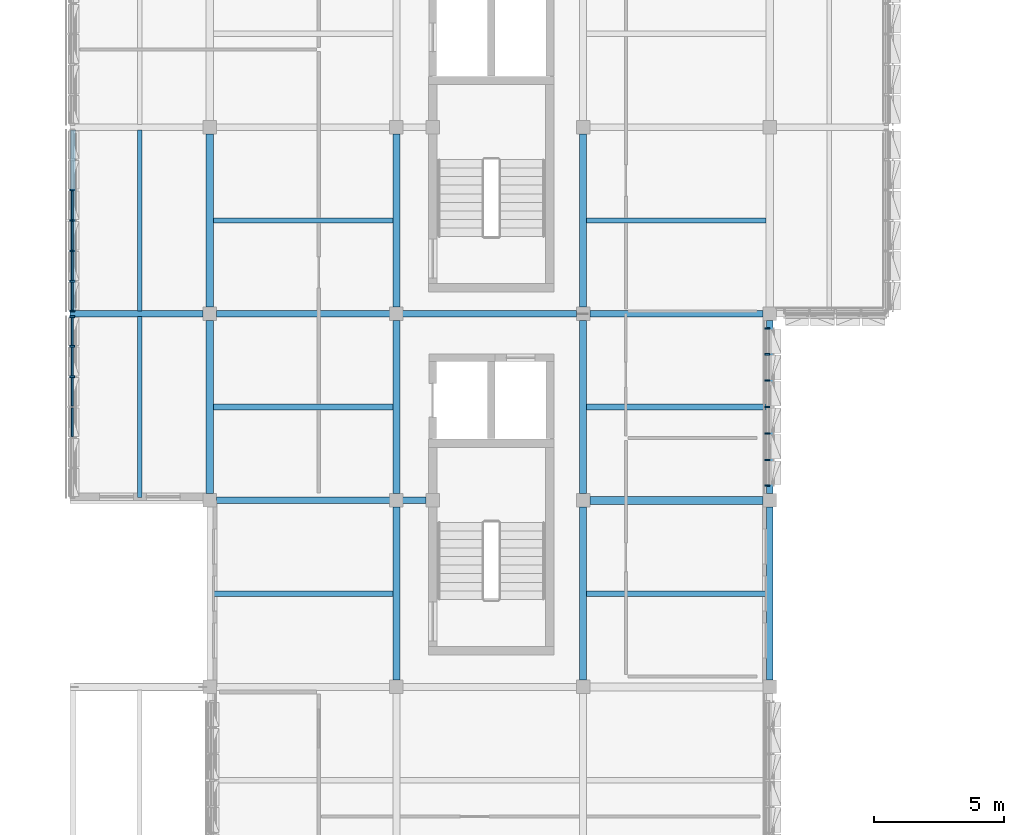
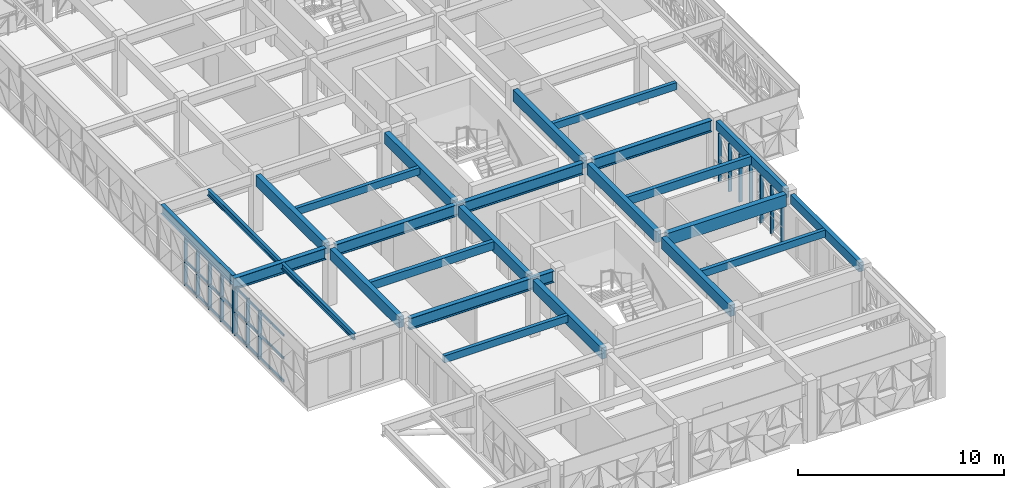
# One storey, part 3 of 48: 39 members, 24 beams, 3 elements without a shape of their own.
"""IFC4 building model written with IfcOpenShell, lengths in metres."""

from ifc_helpers import new_model, si_unit, direction, frame, origin, origin_2d, place, context, subcontext, project, spatial, rectangle, i_section, extrude, material, material_profile, profile_set, type_object, element, aggregate, save


model = new_model("IFC4")

# Units and contexts
model_context = context("Model", 3, precision=1e-05, world=origin(), true_north=direction((0.0, 1.0)))
body_context = subcontext(model_context, "Body", "Model", "MODEL_VIEW")
ifc_project = project(units=[si_unit("LENGTHUNIT", "METRE"), si_unit("AREAUNIT", "SQUARE_METRE"), si_unit("VOLUMEUNIT", "CUBIC_METRE"), si_unit("PLANEANGLEUNIT", "RADIAN"), si_unit("MASSUNIT", "GRAM", prefix="KILO")], contexts=[model_context])

# Site, building, storey
site_placement = place(None, origin())
site = spatial("IfcSite", under=ifc_project, at=site_placement, CompositionType="ELEMENT")
building_placement = place(site_placement, origin())
building = spatial("IfcBuilding", under=site, at=building_placement, Name="Alvorim Cloister Faculty of Sciences", CompositionType="ELEMENT")
storey_placement = place(building_placement, frame((0.0, 0.0, 19.35009765625)))
storey = spatial("IfcBuildingStorey", under=building, at=storey_placement, Name="L05", CompositionType="ELEMENT", Elevation=19.35009765625)

# Beams
ifc_material_1 = material(Name="Glulam GL28h", Category="wood")
ifc_material_profile_1 = material_profile(ifc_material_1, rectangle(XDim=0.280029296875, YDim=0.659912109375, at=origin_2d()), Name="GL28-BM-280x660")
ifc_profile_set_1 = profile_set([ifc_material_profile_1], Name="Glulam GL28h")
beam_type_1 = type_object("IfcBeamType", Name="BM-GL-280x660", PredefinedType="BEAM", material=ifc_profile_set_1)
for number, where, z_axis, x_axis, name in (
    (1, (7.199951171875, 21.860107421875, 3.059814453125), (0.0, 1.0, 0.0), (-1.0, 0.0, 0.0), "L05 Primary Girder BM-1982"),
    (2, (7.199951171875, 29.06005859375, 3.059814453125), (0.0, 1.0, 0.0), (-1.0, 0.0, 0.0), "L05 Primary Girder BM-1983"),
):
    element("IfcBeam", number, at=place(storey_placement, frame(where, z_axis=z_axis, x_axis=x_axis)), inside=storey, type_object=beam_type_1, Name=name, PredefinedType="BEAM", context=body_context, shape_type="SweptSolid", body=[
        extrude(rectangle(XDim=0.280029296875, YDim=0.659912109375, at=origin_2d()), origin(), (0.0, 0.0, 1.0), 6.679931640625),
    ])
beam_1_placement = place(storey_placement, frame((14.39990234375, 14.659912109375, 3.059814453125), z_axis=(0.0, 1.0, 0.0), x_axis=(-1.0, 0.0, 0.0)))
element("IfcBeam", 3, at=beam_1_placement, inside=storey, type_object=beam_type_1, Name="L05 Primary Girder BM-1988", PredefinedType="BEAM", context=body_context, shape_type="SweptSolid", body=[
    extrude(rectangle(XDim=0.280029296875, YDim=0.659912109375, at=origin_2d()), origin(), (0.0, 0.0, 1.0), 6.68017578125),
])
for number, where, z_axis, x_axis, name in (
    (4, (14.39990234375, 21.860107421875, 3.059814453125), (0.0, 1.0, 0.0), (-1.0, 0.0, 0.0), "L05 Primary Girder BM-1989"),
    (5, (14.39990234375, 29.06005859375, 3.059814453125), (0.0, 1.0, 0.0), (-1.0, 0.0, 0.0), "L05 Primary Girder BM-1990"),
):
    element("IfcBeam", number, at=place(storey_placement, frame(where, z_axis=z_axis, x_axis=x_axis)), inside=storey, type_object=beam_type_1, Name=name, PredefinedType="BEAM", context=body_context, shape_type="SweptSolid", body=[
        extrude(rectangle(XDim=0.280029296875, YDim=0.659912109375, at=origin_2d()), origin(), (0.0, 0.0, 1.0), 6.679931640625),
    ])
beam_2_placement = place(storey_placement, frame((21.60009765625, 14.659912109375, 3.059814453125), z_axis=(0.0, 1.0, 0.0), x_axis=(-1.0, 0.0, 0.0)))
element("IfcBeam", 6, at=beam_2_placement, inside=storey, type_object=beam_type_1, Name="L05 Primary Girder BM-1995", PredefinedType="BEAM", context=body_context, shape_type="SweptSolid", body=[
    extrude(rectangle(XDim=0.280029296875, YDim=0.659912109375, at=origin_2d()), origin(), (0.0, 0.0, 1.0), 6.68017578125),
])
for number, where, z_axis, x_axis, name in (
    (7, (21.60009765625, 21.860107421875, 3.059814453125), (0.0, 1.0, 0.0), (-1.0, 0.0, 0.0), "L05 Primary Girder BM-1996"),
    (8, (21.60009765625, 29.06005859375, 3.059814453125), (0.0, 1.0, 0.0), (-1.0, 0.0, 0.0), "L05 Primary Girder BM-1997"),
):
    element("IfcBeam", number, at=place(storey_placement, frame(where, z_axis=z_axis, x_axis=x_axis)), inside=storey, type_object=beam_type_1, Name=name, PredefinedType="BEAM", context=body_context, shape_type="SweptSolid", body=[
        extrude(rectangle(XDim=0.280029296875, YDim=0.659912109375, at=origin_2d()), origin(), (0.0, 0.0, 1.0), 6.679931640625),
    ])
ifc_material_2 = material(Name="Glulam GL32h", Category="wood")
ifc_material_profile_2 = material_profile(ifc_material_2, rectangle(XDim=0.300048828125, YDim=0.719970703125, at=origin_2d()), Name="GL32-BM-300x720")
ifc_profile_set_2 = profile_set([ifc_material_profile_2], Name="Glulam GL32h")
beam_type_2 = type_object("IfcBeamType", Name="BM-GL-300x720", PredefinedType="BEAM", material=ifc_profile_set_2)
beam_3_placement = place(storey_placement, frame((21.860107421875, 21.60009765625, 3.02978515625), z_axis=(1.0, 0.0, 0.0), x_axis=(0.0, 1.0, 0.0)))
element("IfcBeam", 9, at=beam_3_placement, inside=storey, type_object=beam_type_2, Name="L05 Primary Beam BM-1967", PredefinedType="BEAM", context=body_context, shape_type="SweptSolid", body=[
    extrude(rectangle(XDim=0.300048828125, YDim=0.719970703125, at=origin_2d()), origin(), (0.0, 0.0, 1.0), 6.679931640625),
])
ifc_material_profile_3 = material_profile(ifc_material_1, rectangle(XDim=0.199951171875, YDim=0.419921875, at=origin_2d()), Name="GL28-JST-200x420")
ifc_profile_set_3 = profile_set([ifc_material_profile_3], Name="Glulam GL28h")
beam_type_3 = type_object("IfcBeamType", Name="BM-JST-GL-200x420", PredefinedType="JOIST", material=ifc_profile_set_3)
beam_4_placement = place(storey_placement, frame((7.320068359375, 18.0, 3.179931640625), z_axis=(1.0, 0.0, 0.0), x_axis=(0.0, 1.0, 0.0)))
element("IfcBeam", 10, at=beam_4_placement, inside=storey, type_object=beam_type_3, Name="L05 Secondary Floor Joist BM-2017", PredefinedType="JOIST", context=body_context, shape_type="SweptSolid", body=[
    extrude(rectangle(XDim=0.199951171875, YDim=0.419921875, at=origin_2d()), origin(), (0.0, 0.0, 1.0), 6.93994140625),
])
beam_5_placement = place(storey_placement, frame((7.340087890625, 32.39990234375, 3.179931640625), z_axis=(1.0, 0.0, 0.0), x_axis=(0.0, 1.0, 0.0)))
element("IfcBeam", 11, at=beam_5_placement, inside=storey, type_object=beam_type_3, Name="L05 Secondary Floor Joist BM-2019", PredefinedType="JOIST", context=body_context, shape_type="SweptSolid", body=[
    extrude(rectangle(XDim=0.199951171875, YDim=0.419921875, at=origin_2d()), origin(), (0.0, 0.0, 1.0), 6.919921875),
])
beam_6_placement = place(storey_placement, frame((21.739990234375, 18.0, 3.179931640625), z_axis=(1.0, 0.0, 0.0), x_axis=(0.0, 1.0, 0.0)))
element("IfcBeam", 12, at=beam_6_placement, inside=storey, type_object=beam_type_3, Name="L05 Secondary Floor Joist BM-2025", PredefinedType="JOIST", context=body_context, shape_type="SweptSolid", body=[
    extrude(rectangle(XDim=0.199951171875, YDim=0.419921875, at=origin_2d()), origin(), (0.0, 0.0, 1.0), 6.93994140625),
])
beam_7_placement = place(storey_placement, frame((21.739990234375, 32.39990234375, 3.179931640625), z_axis=(1.0, 0.0, 0.0), x_axis=(0.0, 1.0, 0.0)))
element("IfcBeam", 13, at=beam_7_placement, inside=storey, type_object=beam_type_3, Name="L05 Secondary Floor Joist BM-2027", PredefinedType="JOIST", context=body_context, shape_type="SweptSolid", body=[
    extrude(rectangle(XDim=0.199951171875, YDim=0.419921875, at=origin_2d()), origin(), (0.0, 0.0, 1.0), 6.919921875),
])
ifc_material_profile_4 = material_profile(ifc_material_1, rectangle(XDim=0.219970703125, YDim=0.47998046875, at=origin_2d()), Name="GL28-JST-220x480")
ifc_profile_set_4 = profile_set([ifc_material_profile_4], Name="Glulam GL28h")
beam_type_4 = type_object("IfcBeamType", Name="BM-JST-GL-220x480", PredefinedType="JOIST", material=ifc_profile_set_4)
beam_8_placement = place(storey_placement, frame((7.340087890625, 25.199951171875, 3.14990234375), z_axis=(1.0, 0.0, 0.0), x_axis=(0.0, 1.0, 0.0)))
element("IfcBeam", 14, at=beam_8_placement, inside=storey, type_object=beam_type_4, Name="L05 Secondary Floor Joist BM-2018", PredefinedType="JOIST", context=body_context, shape_type="SweptSolid", body=[
    extrude(rectangle(XDim=0.219970703125, YDim=0.47998046875, at=origin_2d()), origin(), (0.0, 0.0, 1.0), 6.919921875),
])
beam_9_placement = place(storey_placement, frame((21.739990234375, 25.199951171875, 3.14990234375), z_axis=(1.0, 0.0, 0.0), x_axis=(0.0, 1.0, 0.0)))
element("IfcBeam", 15, at=beam_9_placement, inside=storey, type_object=beam_type_4, Name="L05 Secondary Floor Joist BM-2026", PredefinedType="JOIST", context=body_context, shape_type="SweptSolid", body=[
    extrude(rectangle(XDim=0.219970703125, YDim=0.47998046875, at=origin_2d()), origin(), (0.0, 0.0, 1.0), 6.93994140625),
])
ifc_material_profile_5 = material_profile(ifc_material_1, rectangle(XDim=0.239990234375, YDim=0.5400390625, at=origin_2d()), Name="GL28-SPD-240x540")
ifc_profile_set_5 = profile_set([ifc_material_profile_5], Name="Glulam GL28h")
beam_type_5 = type_object("IfcBeamType", Name="BM-SPD-GL-240x540", PredefinedType="SPANDREL", material=ifc_profile_set_5)
beam_10_placement = place(storey_placement, frame((28.800048828125, 14.659912109375, 3.119873046875), z_axis=(0.0, 1.0, 0.0), x_axis=(-1.0, 0.0, 0.0)))
element("IfcBeam", 16, at=beam_10_placement, inside=storey, type_object=beam_type_5, Name="L05 Primary Girder BM-2002", PredefinedType="SPANDREL", context=body_context, shape_type="SweptSolid", body=[
    extrude(rectangle(XDim=0.239990234375, YDim=0.5400390625, at=origin_2d()), origin(), (0.0, 0.0, 1.0), 6.68017578125),
])
beam_11_placement = place(storey_placement, frame((28.800048828125, 21.860107421875, 3.119873046875), z_axis=(0.0, 1.0, 0.0), x_axis=(-1.0, 0.0, 0.0)))
element("IfcBeam", 17, at=beam_11_placement, inside=storey, type_object=beam_type_5, Name="L05 Primary Girder BM-2003", PredefinedType="SPANDREL", context=body_context, shape_type="SweptSolid", body=[
    extrude(rectangle(XDim=0.239990234375, YDim=0.5400390625, at=origin_2d()), origin(), (0.0, 0.0, 1.0), 6.679931640625),
])
ifc_material_3 = material(Name="Steel ASTM A572 Grade 50", Category="steel")
ifc_material_profile_6 = material_profile(ifc_material_3, i_section(OverallWidth=0.1708984375, OverallDepth=0.35498046875, WebThickness=0.007080078125, FlangeThickness=0.01171875, FilletRadius=0.012939453125, at=origin_2d()), Name="W360x51.0")
ifc_profile_set_6 = profile_set([ifc_material_profile_6], Name="Steel ASTM A572 Grade 50")
beam_type_6 = type_object("IfcBeamType", Name="BM-STL-W360", PredefinedType="JOIST", material=ifc_profile_set_6)
for number, where, z_axis, x_axis, name in (
    (18, (4.5, 21.7099609375, 3.21240234375), (0.0, 1.0, 0.0), (-1.0, 0.0, 0.0), "L05 Cantilever Deck Joist BM-0118"),
    (19, (4.5, 28.909912109375, 3.21240234375), (0.0, 1.0, 0.0), (-1.0, 0.0, 0.0), "L05 Cantilever Deck Joist BM-0120"),
):
    element("IfcBeam", number, at=place(storey_placement, frame(where, z_axis=z_axis, x_axis=x_axis)), inside=storey, type_object=beam_type_6, Name=name, PredefinedType="JOIST", context=body_context, shape_type="SweptSolid", body=[
        extrude(i_section(OverallWidth=0.1708984375, OverallDepth=0.35498046875, WebThickness=0.007080078125, FlangeThickness=0.01171875, FilletRadius=0.012939453125, at=origin_2d()), origin(), (0.0, 0.0, 1.0), 6.97998046875),
    ])
ifc_material_profile_7 = material_profile(ifc_material_3, i_section(OverallWidth=0.208984375, OverallDepth=0.532958984375, WebThickness=0.01025390625, FlangeThickness=0.015625, FilletRadius=0.01611328125, at=origin_2d()), Name="W530x92.0")
ifc_profile_set_7 = profile_set([ifc_material_profile_7], Name="Steel ASTM A572 Grade 50")
beam_type_7 = type_object("IfcBeamType", Name="BM-STL-W530", PredefinedType="BEAM", material=ifc_profile_set_7)
beam_12_placement = place(storey_placement, frame((1.919921875, 28.909912109375, 3.123291015625), z_axis=(0.0, 1.0, 0.0), x_axis=(-1.0, 0.0, 0.0)))
element("IfcBeam", 20, at=beam_12_placement, inside=storey, type_object=beam_type_7, Name="L05 Cantilever Tip Header Girder BM-0119", PredefinedType="BEAM", context=body_context, shape_type="SweptSolid", body=[
    extrude(i_section(OverallWidth=0.208984375, OverallDepth=0.532958984375, WebThickness=0.01025390625, FlangeThickness=0.015625, FilletRadius=0.01611328125, at=origin_2d()), origin(), (0.0, 0.0, 1.0), 6.97998046875),
])
ifc_material_profile_8 = material_profile(ifc_material_3, i_section(OverallWidth=0.25390625, OverallDepth=0.68408203125, WebThickness=0.012451171875, FlangeThickness=0.01904296875, FilletRadius=0.01904296875, at=origin_2d()), Name="W690x140.0")
ifc_profile_set_8 = profile_set([ifc_material_profile_8], Name="Steel ASTM A572 Grade 50")
beam_type_8 = type_object("IfcBeamType", Name="BM-STL-W690", PredefinedType="BEAM", material=ifc_profile_set_8)
beam_13_placement = place(storey_placement, frame((7.4599609375, 21.60009765625, 3.0478515625), z_axis=(1.0, 0.0, 0.0), x_axis=(0.0, 1.0, 0.0)))
element("IfcBeam", 21, at=beam_13_placement, inside=storey, type_object=beam_type_8, Name="L05 Cantilever Backspan Girder BM-0105", PredefinedType="BEAM", context=body_context, shape_type="SweptSolid", body=[
    extrude(i_section(OverallWidth=0.25390625, OverallDepth=0.68408203125, WebThickness=0.012451171875, FlangeThickness=0.01904296875, FilletRadius=0.01904296875, at=origin_2d()), origin(), (0.0, 0.0, 1.0), 8.080078125),
])
beam_14_placement = place(storey_placement, frame((7.4599609375, 28.800048828125, 3.0478515625), z_axis=(1.0, 0.0, 0.0), x_axis=(0.0, 1.0, 0.0)))
element("IfcBeam", 22, at=beam_14_placement, inside=storey, type_object=beam_type_8, Name="L05 Cantilever Backspan Girder BM-0107", PredefinedType="BEAM", context=body_context, shape_type="SweptSolid", body=[
    extrude(i_section(OverallWidth=0.25390625, OverallDepth=0.68408203125, WebThickness=0.012451171875, FlangeThickness=0.01904296875, FilletRadius=0.01904296875, at=origin_2d()), origin(), (0.0, 0.0, 1.0), 13.880126953125),
])
beam_15_placement = place(storey_placement, frame((1.800048828125, 28.800048828125, 3.0478515625), z_axis=(1.0, 0.0, 0.0), x_axis=(0.0, 1.0, 0.0)))
element("IfcBeam", 23, at=beam_15_placement, inside=storey, type_object=beam_type_8, Name="L05 Cantilever Overhang Girder BM-0108", PredefinedType="BEAM", context=body_context, shape_type="SweptSolid", body=[
    extrude(i_section(OverallWidth=0.25390625, OverallDepth=0.68408203125, WebThickness=0.012451171875, FlangeThickness=0.01904296875, FilletRadius=0.01904296875, at=origin_2d()), origin(), (0.0, 0.0, 1.0), 5.139892578125),
])
beam_16_placement = place(storey_placement, frame((21.860107421875, 28.800048828125, 3.0478515625), z_axis=(1.0, 0.0, 0.0), x_axis=(0.0, 1.0, 0.0)))
element("IfcBeam", 24, at=beam_16_placement, inside=storey, type_object=beam_type_8, Name="L05 Cantilever Backspan Girder BM-0141", PredefinedType="BEAM", context=body_context, shape_type="SweptSolid", body=[
    extrude(i_section(OverallWidth=0.25390625, OverallDepth=0.68408203125, WebThickness=0.012451171875, FlangeThickness=0.01904296875, FilletRadius=0.01904296875, at=origin_2d()), origin(), (0.0, 0.0, 1.0), 6.679931640625),
])

# Curtain wall, members
ifc_material_4 = material(Name="Aluminium and Low-E Glass Curtain Wall", Category="aluminium")
curtain_wall_type_1 = type_object("IfcCurtainWallType", Name="CW-TRI-7040x2857", PredefinedType="USERDEFINED", material=ifc_material_4)
curtain_wall_1_placement = place(storey_placement, origin())
curtain_wall_1 = element("IfcCurtainWall", 25, at=curtain_wall_1_placement, inside=storey, type_object=curtain_wall_type_1, Name="L05 Diagonal Cassette Curtain Wall CW-0214", ObjectType="UNITISED CURTAIN WALL", PredefinedType="USERDEFINED")
ifc_material_5 = material(Name="Aluminium Alloy 6063-T6", Category="aluminium")
ifc_material_profile_9 = material_profile(ifc_material_5, rectangle(XDim=0.06494140625, YDim=0.179931640625, at=origin_2d()), Name="ALU-MUL-65x180")
ifc_profile_set_9 = profile_set([ifc_material_profile_9], Name="Aluminium Alloy 6063-T6")
member_type_1 = type_object("IfcMemberType", Name="CW-MUL-65x180", PredefinedType="MULLION", material=ifc_profile_set_9)
member_1_placement = place(storey_placement, frame((1.889892578125, 26.373291015625, 0.0), z_axis=(0.0, 0.0, 1.0), x_axis=(0.0, 1.0, 0.0)))
member_1 = element("IfcMember", 26, at=member_1_placement, type_object=member_type_1, Name="CW-0214 Mullion 5", PredefinedType="MULLION", context=body_context, shape_type="SweptSolid", body=[
    extrude(rectangle(XDim=0.06494140625, YDim=0.179931640625, at=origin_2d()), origin(), (0.0, 0.0, 1.0), 2.85693359375),
])
member_2_placement = place(storey_placement, frame((1.889892578125, 27.546630859375, 0.0), z_axis=(0.0, 0.0, 1.0), x_axis=(0.0, 1.0, 0.0)))
member_2 = element("IfcMember", 27, at=member_2_placement, type_object=member_type_1, Name="CW-0214 Mullion 6", PredefinedType="MULLION", context=body_context, shape_type="SweptSolid", body=[
    extrude(rectangle(XDim=0.06494140625, YDim=0.179931640625, at=origin_2d()), origin(), (0.0, 0.0, 1.0), 2.85693359375),
])
member_3_placement = place(storey_placement, frame((1.889892578125, 28.6875, 0.0), z_axis=(0.0, 0.0, 1.0), x_axis=(0.0, 1.0, 0.0)))
member_3 = element("IfcMember", 28, at=member_3_placement, type_object=member_type_1, Name="CW-0214 Mullion 7", PredefinedType="MULLION", context=body_context, shape_type="SweptSolid", body=[
    extrude(rectangle(XDim=0.06494140625, YDim=0.179931640625, at=origin_2d()), origin(), (0.0, 0.0, 1.0), 2.85693359375),
])

curtain_wall_2_placement = place(storey_placement, origin())
curtain_wall_2 = element("IfcCurtainWall", 29, at=curtain_wall_2_placement, inside=storey, type_object=curtain_wall_type_1, Name="L05 Diagonal Cassette Curtain Wall CW-0215", ObjectType="UNITISED CURTAIN WALL", PredefinedType="USERDEFINED")
member_4_placement = place(storey_placement, frame((1.889892578125, 28.91259765625, 0.0), z_axis=(0.0, 0.0, 1.0), x_axis=(0.0, 1.0, 0.0)))
member_4 = element("IfcMember", 30, at=member_4_placement, type_object=member_type_1, Name="CW-0215 Mullion 1", PredefinedType="MULLION", context=body_context, shape_type="SweptSolid", body=[
    extrude(rectangle(XDim=0.06494140625, YDim=0.179931640625, at=origin_2d()), origin(), (0.0, 0.0, 1.0), 2.85693359375),
])
member_5_placement = place(storey_placement, frame((1.889892578125, 30.05322265625, 0.0), z_axis=(0.0, 0.0, 1.0), x_axis=(0.0, 1.0, 0.0)))
member_5 = element("IfcMember", 31, at=member_5_placement, type_object=member_type_1, Name="CW-0215 Mullion 2", PredefinedType="MULLION", context=body_context, shape_type="SweptSolid", body=[
    extrude(rectangle(XDim=0.06494140625, YDim=0.179931640625, at=origin_2d()), origin(), (0.0, 0.0, 1.0), 2.85693359375),
])
member_6_placement = place(storey_placement, frame((1.889892578125, 31.226806640625, 0.0), z_axis=(0.0, 0.0, 1.0), x_axis=(0.0, 1.0, 0.0)))
member_6 = element("IfcMember", 32, at=member_6_placement, type_object=member_type_1, Name="CW-0215 Mullion 3", PredefinedType="MULLION", context=body_context, shape_type="SweptSolid", body=[
    extrude(rectangle(XDim=0.06494140625, YDim=0.179931640625, at=origin_2d()), origin(), (0.0, 0.0, 1.0), 2.85693359375),
])
member_7_placement = place(storey_placement, frame((1.889892578125, 32.39990234375, 0.0), z_axis=(0.0, 0.0, 1.0), x_axis=(0.0, 1.0, 0.0)))
member_7 = element("IfcMember", 33, at=member_7_placement, type_object=member_type_1, Name="CW-0215 Mullion 4", PredefinedType="MULLION", context=body_context, shape_type="SweptSolid", body=[
    extrude(rectangle(XDim=0.06494140625, YDim=0.179931640625, at=origin_2d()), origin(), (0.0, 0.0, 1.0), 2.85693359375),
])
member_8_placement = place(storey_placement, frame((1.889892578125, 33.5732421875, 0.0), z_axis=(0.0, 0.0, 1.0), x_axis=(0.0, 1.0, 0.0)))
member_8 = element("IfcMember", 34, at=member_8_placement, type_object=member_type_1, Name="CW-0215 Mullion 5", PredefinedType="MULLION", context=body_context, shape_type="SweptSolid", body=[
    extrude(rectangle(XDim=0.06494140625, YDim=0.179931640625, at=origin_2d()), origin(), (0.0, 0.0, 1.0), 2.85693359375),
])

curtain_wall_type_2 = type_object("IfcCurtainWallType", Name="CW-TRI-6120x2850", PredefinedType="USERDEFINED", material=ifc_material_4)
curtain_wall_3_placement = place(storey_placement, origin())
curtain_wall_3 = element("IfcCurtainWall", 35, at=curtain_wall_3_placement, inside=storey, type_object=curtain_wall_type_2, Name="L05 Diagonal Cassette Curtain Wall CW-0235", ObjectType="UNITISED CURTAIN WALL", PredefinedType="USERDEFINED")
member_9_placement = place(storey_placement, frame((28.7099609375, 22.172607421875, 0.0), z_axis=(0.0, 0.0, 1.0), x_axis=(0.0, 1.0, 0.0)))
member_9 = element("IfcMember", 36, at=member_9_placement, type_object=member_type_1, Name="CW-0235 Mullion 1", PredefinedType="MULLION", context=body_context, shape_type="SweptSolid", body=[
    extrude(rectangle(XDim=0.06494140625, YDim=0.179931640625, at=origin_2d()), origin(), (0.0, 0.0, 1.0), 2.849853515625),
])
member_10_placement = place(storey_placement, frame((28.7099609375, 23.159912109375, 0.0), z_axis=(0.0, 0.0, 1.0), x_axis=(0.0, 1.0, 0.0)))
member_10 = element("IfcMember", 37, at=member_10_placement, type_object=member_type_1, Name="CW-0235 Mullion 2", PredefinedType="MULLION", context=body_context, shape_type="SweptSolid", body=[
    extrude(rectangle(XDim=0.06494140625, YDim=0.179931640625, at=origin_2d()), origin(), (0.0, 0.0, 1.0), 2.849853515625),
])
member_11_placement = place(storey_placement, frame((28.7099609375, 24.179931640625, 0.0), z_axis=(0.0, 0.0, 1.0), x_axis=(0.0, 1.0, 0.0)))
member_11 = element("IfcMember", 38, at=member_11_placement, type_object=member_type_1, Name="CW-0235 Mullion 3", PredefinedType="MULLION", context=body_context, shape_type="SweptSolid", body=[
    extrude(rectangle(XDim=0.06494140625, YDim=0.179931640625, at=origin_2d()), origin(), (0.0, 0.0, 1.0), 2.849853515625),
])
member_12_placement = place(storey_placement, frame((28.7099609375, 25.199951171875, 0.0), z_axis=(0.0, 0.0, 1.0), x_axis=(0.0, 1.0, 0.0)))
member_12 = element("IfcMember", 39, at=member_12_placement, type_object=member_type_1, Name="CW-0235 Mullion 4", PredefinedType="MULLION", context=body_context, shape_type="SweptSolid", body=[
    extrude(rectangle(XDim=0.06494140625, YDim=0.179931640625, at=origin_2d()), origin(), (0.0, 0.0, 1.0), 2.849853515625),
])
member_13_placement = place(storey_placement, frame((28.7099609375, 26.219970703125, 0.0), z_axis=(0.0, 0.0, 1.0), x_axis=(0.0, 1.0, 0.0)))
member_13 = element("IfcMember", 40, at=member_13_placement, type_object=member_type_1, Name="CW-0235 Mullion 5", PredefinedType="MULLION", context=body_context, shape_type="SweptSolid", body=[
    extrude(rectangle(XDim=0.06494140625, YDim=0.179931640625, at=origin_2d()), origin(), (0.0, 0.0, 1.0), 2.849853515625),
])
member_14_placement = place(storey_placement, frame((28.7099609375, 27.239990234375, 0.0), z_axis=(0.0, 0.0, 1.0), x_axis=(0.0, 1.0, 0.0)))
member_14 = element("IfcMember", 41, at=member_14_placement, type_object=member_type_1, Name="CW-0235 Mullion 6", PredefinedType="MULLION", context=body_context, shape_type="SweptSolid", body=[
    extrude(rectangle(XDim=0.06494140625, YDim=0.179931640625, at=origin_2d()), origin(), (0.0, 0.0, 1.0), 2.849853515625),
])
member_15_placement = place(storey_placement, frame((28.7099609375, 28.2275390625, 0.0), z_axis=(0.0, 0.0, 1.0), x_axis=(0.0, 1.0, 0.0)))
member_15 = element("IfcMember", 42, at=member_15_placement, type_object=member_type_1, Name="CW-0235 Mullion 7", PredefinedType="MULLION", context=body_context, shape_type="SweptSolid", body=[
    extrude(rectangle(XDim=0.06494140625, YDim=0.179931640625, at=origin_2d()), origin(), (0.0, 0.0, 1.0), 2.849853515625),
])
aggregate(curtain_wall_3, [member_9, member_10, member_11, member_12, member_13, member_14, member_15])

# Member
ifc_material_profile_10 = material_profile(ifc_material_5, rectangle(XDim=0.06494140625, YDim=0.139892578125, at=origin_2d()), Name="ALU-TRN-65x140")
ifc_profile_set_10 = profile_set([ifc_material_profile_10], Name="Aluminium Alloy 6063-T6")
member_type_2 = type_object("IfcMemberType", Name="CW-TRN-65x140", PredefinedType="USERDEFINED", material=ifc_profile_set_10)
member_16_placement = place(storey_placement, frame((1.889892578125, 24.05908203125, 0.06982421875), z_axis=(0.0, 1.0, 0.0), x_axis=(-1.0, 0.0, 0.0)))
member_16 = element("IfcMember", 43, at=member_16_placement, type_object=member_type_2, Name="CW-0214 Transom 3.1", ObjectType="TRANSOM", PredefinedType="USERDEFINED", context=body_context, shape_type="SweptSolid", body=[
    extrude(rectangle(XDim=0.06494140625, YDim=0.139892578125, at=origin_2d()), origin(), (0.0, 0.0, 1.0), 1.1083984375),
])

member_17_placement = place(storey_placement, frame((1.889892578125, 24.05908203125, 1.428466796875), z_axis=(0.0, 1.0, 0.0), x_axis=(-1.0, 0.0, 0.0)))
member_17 = element("IfcMember", 44, at=member_17_placement, type_object=member_type_2, Name="CW-0214 Transom 3.2", ObjectType="TRANSOM", PredefinedType="USERDEFINED", context=body_context, shape_type="SweptSolid", body=[
    extrude(rectangle(XDim=0.06494140625, YDim=0.139892578125, at=origin_2d()), origin(), (0.0, 0.0, 1.0), 1.1083984375),
])

member_18_placement = place(storey_placement, frame((1.889892578125, 24.05908203125, 2.786865234375), z_axis=(0.0, 1.0, 0.0), x_axis=(-1.0, 0.0, 0.0)))
member_18 = element("IfcMember", 45, at=member_18_placement, type_object=member_type_2, Name="CW-0214 Transom 3.3", ObjectType="TRANSOM", PredefinedType="USERDEFINED", context=body_context, shape_type="SweptSolid", body=[
    extrude(rectangle(XDim=0.06494140625, YDim=0.139892578125, at=origin_2d()), origin(), (0.0, 0.0, 1.0), 1.1083984375),
])

member_19_placement = place(storey_placement, frame((1.889892578125, 25.232421875, 0.06982421875), z_axis=(0.0, 1.0, 0.0), x_axis=(-1.0, 0.0, 0.0)))
member_19 = element("IfcMember", 46, at=member_19_placement, type_object=member_type_2, Name="CW-0214 Transom 4.1", ObjectType="TRANSOM", PredefinedType="USERDEFINED", context=body_context, shape_type="SweptSolid", body=[
    extrude(rectangle(XDim=0.06494140625, YDim=0.139892578125, at=origin_2d()), origin(), (0.0, 0.0, 1.0), 1.1083984375),
])

member_20_placement = place(storey_placement, frame((1.889892578125, 25.232421875, 1.428466796875), z_axis=(0.0, 1.0, 0.0), x_axis=(-1.0, 0.0, 0.0)))
member_20 = element("IfcMember", 47, at=member_20_placement, type_object=member_type_2, Name="CW-0214 Transom 4.2", ObjectType="TRANSOM", PredefinedType="USERDEFINED", context=body_context, shape_type="SweptSolid", body=[
    extrude(rectangle(XDim=0.06494140625, YDim=0.139892578125, at=origin_2d()), origin(), (0.0, 0.0, 1.0), 1.1083984375),
])

member_21_placement = place(storey_placement, frame((1.889892578125, 25.232421875, 2.786865234375), z_axis=(0.0, 1.0, 0.0), x_axis=(-1.0, 0.0, 0.0)))
member_21 = element("IfcMember", 48, at=member_21_placement, type_object=member_type_2, Name="CW-0214 Transom 4.3", ObjectType="TRANSOM", PredefinedType="USERDEFINED", context=body_context, shape_type="SweptSolid", body=[
    extrude(rectangle(XDim=0.06494140625, YDim=0.139892578125, at=origin_2d()), origin(), (0.0, 0.0, 1.0), 1.1083984375),
])

member_22_placement = place(storey_placement, frame((1.889892578125, 26.40576171875, 0.06982421875), z_axis=(0.0, 1.0, 0.0), x_axis=(-1.0, 0.0, 0.0)))
member_22 = element("IfcMember", 49, at=member_22_placement, type_object=member_type_2, Name="CW-0214 Transom 5.1", ObjectType="TRANSOM", PredefinedType="USERDEFINED", context=body_context, shape_type="SweptSolid", body=[
    extrude(rectangle(XDim=0.06494140625, YDim=0.139892578125, at=origin_2d()), origin(), (0.0, 0.0, 1.0), 1.1083984375),
])

member_23_placement = place(storey_placement, frame((1.889892578125, 26.40576171875, 1.428466796875), z_axis=(0.0, 1.0, 0.0), x_axis=(-1.0, 0.0, 0.0)))
member_23 = element("IfcMember", 50, at=member_23_placement, type_object=member_type_2, Name="CW-0214 Transom 5.2", ObjectType="TRANSOM", PredefinedType="USERDEFINED", context=body_context, shape_type="SweptSolid", body=[
    extrude(rectangle(XDim=0.06494140625, YDim=0.139892578125, at=origin_2d()), origin(), (0.0, 0.0, 1.0), 1.1083984375),
])

member_24_placement = place(storey_placement, frame((1.889892578125, 26.40576171875, 2.786865234375), z_axis=(0.0, 1.0, 0.0), x_axis=(-1.0, 0.0, 0.0)))
member_24 = element("IfcMember", 51, at=member_24_placement, type_object=member_type_2, Name="CW-0214 Transom 5.3", ObjectType="TRANSOM", PredefinedType="USERDEFINED", context=body_context, shape_type="SweptSolid", body=[
    extrude(rectangle(XDim=0.06494140625, YDim=0.139892578125, at=origin_2d()), origin(), (0.0, 0.0, 1.0), 1.1083984375),
])

member_25_placement = place(storey_placement, frame((1.889892578125, 27.5791015625, 0.06982421875), z_axis=(0.0, 1.0, 0.0), x_axis=(-1.0, 0.0, 0.0)))
member_25 = element("IfcMember", 52, at=member_25_placement, type_object=member_type_2, Name="CW-0214 Transom 6.1", ObjectType="TRANSOM", PredefinedType="USERDEFINED", context=body_context, shape_type="SweptSolid", body=[
    extrude(rectangle(XDim=0.06494140625, YDim=0.139892578125, at=origin_2d()), origin(), (0.0, 0.0, 1.0), 1.075927734375),
])

member_26_placement = place(storey_placement, frame((1.889892578125, 27.5791015625, 1.428466796875), z_axis=(0.0, 1.0, 0.0), x_axis=(-1.0, 0.0, 0.0)))
member_26 = element("IfcMember", 53, at=member_26_placement, type_object=member_type_2, Name="CW-0214 Transom 6.2", ObjectType="TRANSOM", PredefinedType="USERDEFINED", context=body_context, shape_type="SweptSolid", body=[
    extrude(rectangle(XDim=0.06494140625, YDim=0.139892578125, at=origin_2d()), origin(), (0.0, 0.0, 1.0), 1.075927734375),
])

member_27_placement = place(storey_placement, frame((1.889892578125, 27.5791015625, 2.786865234375), z_axis=(0.0, 1.0, 0.0), x_axis=(-1.0, 0.0, 0.0)))
member_27 = element("IfcMember", 54, at=member_27_placement, type_object=member_type_2, Name="CW-0214 Transom 6.3", ObjectType="TRANSOM", PredefinedType="USERDEFINED", context=body_context, shape_type="SweptSolid", body=[
    extrude(rectangle(XDim=0.06494140625, YDim=0.139892578125, at=origin_2d()), origin(), (0.0, 0.0, 1.0), 1.075927734375),
])

aggregate(curtain_wall_1, [member_1, member_2, member_3, member_16, member_17, member_18, member_19, member_20, member_21, member_22, member_23, member_24, member_25, member_26, member_27])

member_28_placement = place(storey_placement, frame((1.889892578125, 28.945068359375, 0.06982421875), z_axis=(0.0, 1.0, 0.0), x_axis=(-1.0, 0.0, 0.0)))
member_28 = element("IfcMember", 55, at=member_28_placement, type_object=member_type_2, Name="CW-0215 Transom 1.1", ObjectType="TRANSOM", PredefinedType="USERDEFINED", context=body_context, shape_type="SweptSolid", body=[
    extrude(rectangle(XDim=0.06494140625, YDim=0.139892578125, at=origin_2d()), origin(), (0.0, 0.0, 1.0), 1.07568359375),
])

member_29_placement = place(storey_placement, frame((1.889892578125, 28.945068359375, 1.428466796875), z_axis=(0.0, 1.0, 0.0), x_axis=(-1.0, 0.0, 0.0)))
member_29 = element("IfcMember", 56, at=member_29_placement, type_object=member_type_2, Name="CW-0215 Transom 1.2", ObjectType="TRANSOM", PredefinedType="USERDEFINED", context=body_context, shape_type="SweptSolid", body=[
    extrude(rectangle(XDim=0.06494140625, YDim=0.139892578125, at=origin_2d()), origin(), (0.0, 0.0, 1.0), 1.07568359375),
])

member_30_placement = place(storey_placement, frame((1.889892578125, 28.945068359375, 2.786865234375), z_axis=(0.0, 1.0, 0.0), x_axis=(-1.0, 0.0, 0.0)))
member_30 = element("IfcMember", 57, at=member_30_placement, type_object=member_type_2, Name="CW-0215 Transom 1.3", ObjectType="TRANSOM", PredefinedType="USERDEFINED", context=body_context, shape_type="SweptSolid", body=[
    extrude(rectangle(XDim=0.06494140625, YDim=0.139892578125, at=origin_2d()), origin(), (0.0, 0.0, 1.0), 1.07568359375),
])

member_31_placement = place(storey_placement, frame((1.889892578125, 30.0859375, 0.06982421875), z_axis=(0.0, 1.0, 0.0), x_axis=(-1.0, 0.0, 0.0)))
member_31 = element("IfcMember", 58, at=member_31_placement, type_object=member_type_2, Name="CW-0215 Transom 2.1", ObjectType="TRANSOM", PredefinedType="USERDEFINED", context=body_context, shape_type="SweptSolid", body=[
    extrude(rectangle(XDim=0.06494140625, YDim=0.139892578125, at=origin_2d()), origin(), (0.0, 0.0, 1.0), 1.108154296875),
])

member_32_placement = place(storey_placement, frame((1.889892578125, 30.0859375, 1.428466796875), z_axis=(0.0, 1.0, 0.0), x_axis=(-1.0, 0.0, 0.0)))
member_32 = element("IfcMember", 59, at=member_32_placement, type_object=member_type_2, Name="CW-0215 Transom 2.2", ObjectType="TRANSOM", PredefinedType="USERDEFINED", context=body_context, shape_type="SweptSolid", body=[
    extrude(rectangle(XDim=0.06494140625, YDim=0.139892578125, at=origin_2d()), origin(), (0.0, 0.0, 1.0), 1.108154296875),
])

member_33_placement = place(storey_placement, frame((1.889892578125, 30.0859375, 2.786865234375), z_axis=(0.0, 1.0, 0.0), x_axis=(-1.0, 0.0, 0.0)))
member_33 = element("IfcMember", 60, at=member_33_placement, type_object=member_type_2, Name="CW-0215 Transom 2.3", ObjectType="TRANSOM", PredefinedType="USERDEFINED", context=body_context, shape_type="SweptSolid", body=[
    extrude(rectangle(XDim=0.06494140625, YDim=0.139892578125, at=origin_2d()), origin(), (0.0, 0.0, 1.0), 1.108154296875),
])

member_34_placement = place(storey_placement, frame((1.889892578125, 31.25927734375, 0.06982421875), z_axis=(0.0, 1.0, 0.0), x_axis=(-1.0, 0.0, 0.0)))
member_34 = element("IfcMember", 61, at=member_34_placement, type_object=member_type_2, Name="CW-0215 Transom 3.1", ObjectType="TRANSOM", PredefinedType="USERDEFINED", context=body_context, shape_type="SweptSolid", body=[
    extrude(rectangle(XDim=0.06494140625, YDim=0.139892578125, at=origin_2d()), origin(), (0.0, 0.0, 1.0), 1.108154296875),
])

member_35_placement = place(storey_placement, frame((1.889892578125, 31.25927734375, 1.428466796875), z_axis=(0.0, 1.0, 0.0), x_axis=(-1.0, 0.0, 0.0)))
member_35 = element("IfcMember", 62, at=member_35_placement, type_object=member_type_2, Name="CW-0215 Transom 3.2", ObjectType="TRANSOM", PredefinedType="USERDEFINED", context=body_context, shape_type="SweptSolid", body=[
    extrude(rectangle(XDim=0.06494140625, YDim=0.139892578125, at=origin_2d()), origin(), (0.0, 0.0, 1.0), 1.108154296875),
])

member_36_placement = place(storey_placement, frame((1.889892578125, 31.25927734375, 2.786865234375), z_axis=(0.0, 1.0, 0.0), x_axis=(-1.0, 0.0, 0.0)))
member_36 = element("IfcMember", 63, at=member_36_placement, type_object=member_type_2, Name="CW-0215 Transom 3.3", ObjectType="TRANSOM", PredefinedType="USERDEFINED", context=body_context, shape_type="SweptSolid", body=[
    extrude(rectangle(XDim=0.06494140625, YDim=0.139892578125, at=origin_2d()), origin(), (0.0, 0.0, 1.0), 1.108154296875),
])

member_37_placement = place(storey_placement, frame((1.889892578125, 32.4326171875, 0.06982421875), z_axis=(0.0, 1.0, 0.0), x_axis=(-1.0, 0.0, 0.0)))
member_37 = element("IfcMember", 64, at=member_37_placement, type_object=member_type_2, Name="CW-0215 Transom 4.1", ObjectType="TRANSOM", PredefinedType="USERDEFINED", context=body_context, shape_type="SweptSolid", body=[
    extrude(rectangle(XDim=0.06494140625, YDim=0.139892578125, at=origin_2d()), origin(), (0.0, 0.0, 1.0), 1.108154296875),
])

member_38_placement = place(storey_placement, frame((1.889892578125, 32.4326171875, 1.428466796875), z_axis=(0.0, 1.0, 0.0), x_axis=(-1.0, 0.0, 0.0)))
member_38 = element("IfcMember", 65, at=member_38_placement, type_object=member_type_2, Name="CW-0215 Transom 4.2", ObjectType="TRANSOM", PredefinedType="USERDEFINED", context=body_context, shape_type="SweptSolid", body=[
    extrude(rectangle(XDim=0.06494140625, YDim=0.139892578125, at=origin_2d()), origin(), (0.0, 0.0, 1.0), 1.108154296875),
])

member_39_placement = place(storey_placement, frame((1.889892578125, 32.4326171875, 2.786865234375), z_axis=(0.0, 1.0, 0.0), x_axis=(-1.0, 0.0, 0.0)))
member_39 = element("IfcMember", 66, at=member_39_placement, type_object=member_type_2, Name="CW-0215 Transom 4.3", ObjectType="TRANSOM", PredefinedType="USERDEFINED", context=body_context, shape_type="SweptSolid", body=[
    extrude(rectangle(XDim=0.06494140625, YDim=0.139892578125, at=origin_2d()), origin(), (0.0, 0.0, 1.0), 1.108154296875),
])

aggregate(curtain_wall_2, [member_4, member_5, member_6, member_7, member_8, member_28, member_29, member_30, member_31, member_32, member_33, member_34, member_35, member_36, member_37, member_38, member_39])

save(model, "model.ifc")
